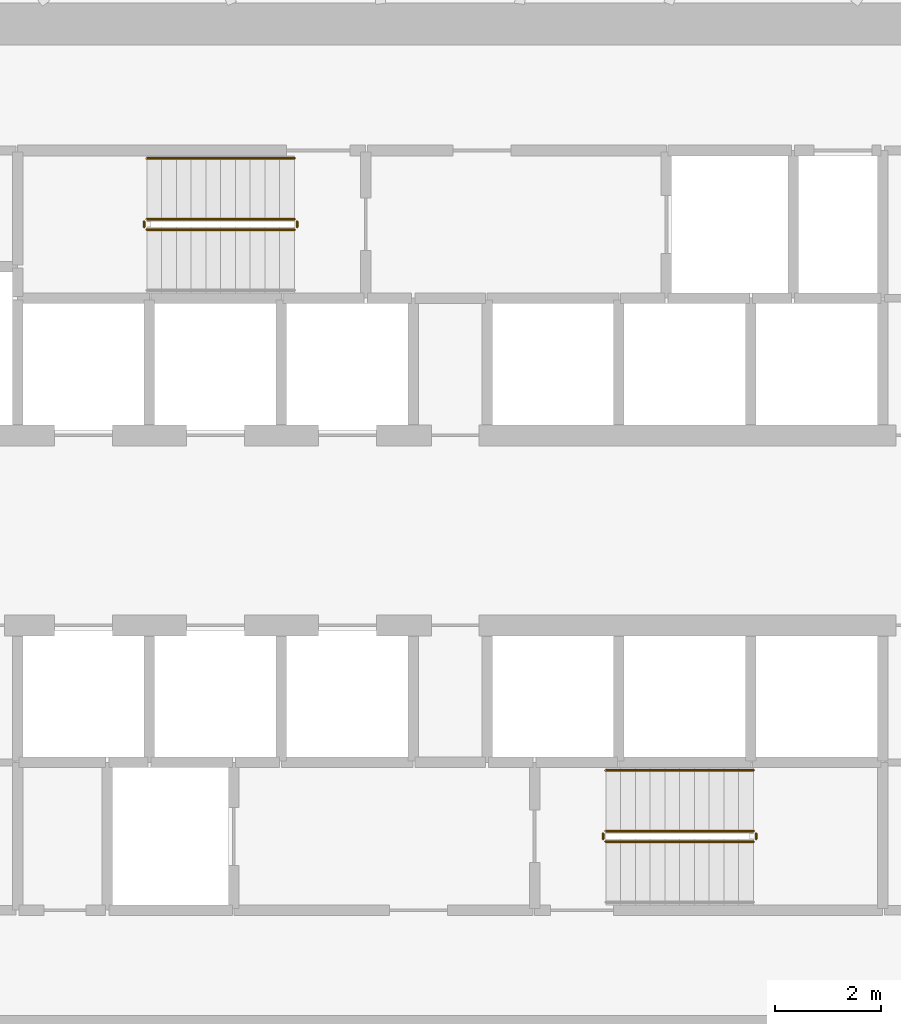
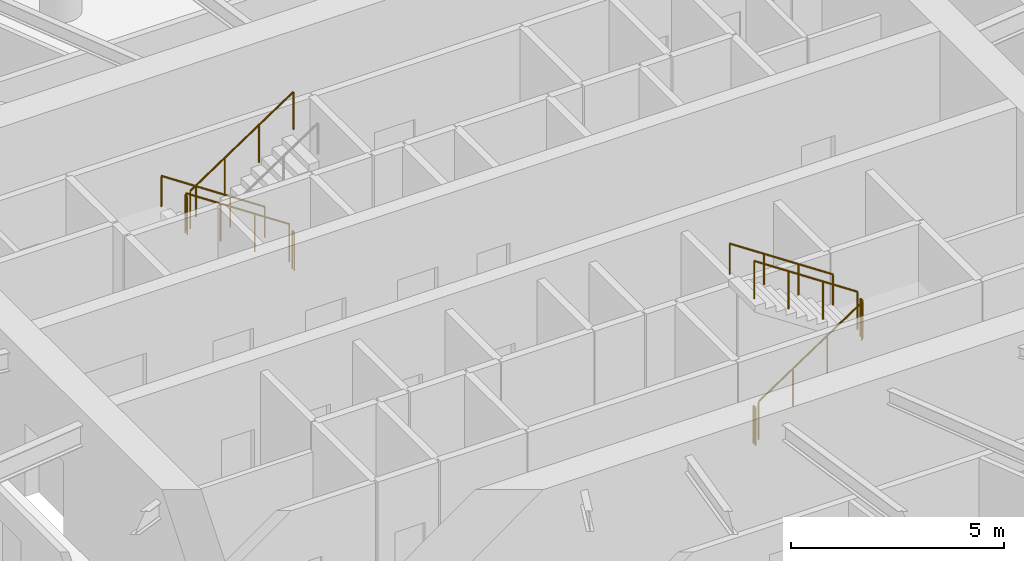
# One storey, part 16 of 17: 10 railings.
"""IFC4 building model written with IfcOpenShell, lengths in metres."""

import ifcopenshell
import ifcopenshell.guid

model = None  # the IFC model being written
_history = None  # IfcOwnerHistory: only IFC2X3 demands one
_inside = {}  # id of a spatial element -> (the spatial element, [elements in it])
_under = {}  # id of a project, library or spatial element -> (it, [spatial elements below it])
_declared = {}  # id of a project -> (the project, [libraries it declares])
_typed = {}  # id of a type object -> (the type object, [elements of that type])
_made_of = {}  # id of a material, layer set ... -> (it, [elements and type objects made of it])


def new_model(schema):
    """Start an empty IFC model of exactly this schema.

    Asked for "IFC4X3", IfcOpenShell would pick the latest addendum, in which some entities
    have other attributes; the version numbers below select the first issue.
    IFC2X3 requires an IfcOwnerHistory on every rooted entity: one is made here for all.
    """
    global model, _history
    if schema == "IFC4X3":
        model = ifcopenshell.file(schema_version=(4, 3, 0, 0))
    else:
        model = ifcopenshell.file(schema=schema)
    _inside.clear()
    _under.clear()
    _declared.clear()
    _typed.clear()
    _made_of.clear()
    _history = None
    if model.schema == "IFC2X3":
        org = make("IfcOrganization", Name="unknown")
        user = make(
            "IfcPersonAndOrganization",
            ThePerson=make("IfcPerson", FamilyName="unknown"),
            TheOrganization=org,
        )
        app = make(
            "IfcApplication",
            ApplicationDeveloper=org,
            Version="unknown",
            ApplicationFullName="unknown",
            ApplicationIdentifier="unknown",
        )
        _history = make(
            "IfcOwnerHistory",
            OwningUser=user,
            OwningApplication=app,
            ChangeAction="ADDED",
            CreationDate=0,
        )
    return model


def make(cls, **values):
    """One entity of the class cls with the attributes given. An attribute that is None is left unset."""
    return model.create_entity(
        cls, **{name: value for name, value in values.items() if value is not None}
    )


def rooted(cls, **values):
    """An entity with a GlobalId (a new one), such as an element, a storey or a relation."""
    return make(cls, GlobalId=ifcopenshell.guid.new(), OwnerHistory=_history, **values)


def si_unit(unit_type, name, prefix=None):
    """IfcSIUnit, for example si_unit("LENGTHUNIT", "METRE", prefix="MILLI")."""
    return make("IfcSIUnit", UnitType=unit_type, Prefix=prefix, Name=name)


def assignment(units):
    """IfcUnitAssignment: the units of a project."""
    return None if units is None else make("IfcUnitAssignment", Units=units)


def point(xyz):
    """IfcCartesianPoint."""
    return None if xyz is None else make("IfcCartesianPoint", Coordinates=xyz)


def direction(xyz):
    """IfcDirection."""
    return None if xyz is None else make("IfcDirection", DirectionRatios=xyz)


def frame(location, z_axis=None, x_axis=None):
    """IfcAxis2Placement3D, a coordinate frame: its origin and axes. An axis left out is left unset."""
    return make(
        "IfcAxis2Placement3D",
        Location=point(location),
        Axis=direction(z_axis),
        RefDirection=direction(x_axis),
    )


def frame_2d(location, x_axis=None):
    """IfcAxis2Placement2D, a coordinate frame in the plane: its origin and x axis."""
    return make(
        "IfcAxis2Placement2D", Location=point(location), RefDirection=direction(x_axis)
    )


def origin():
    """The frame at (0, 0, 0) with its axes left unset."""
    return frame((0.0, 0.0, 0.0))


def origin_2d():
    """The frame at (0, 0) in the plane with its x axis left unset."""
    return frame_2d((0.0, 0.0))


def place(relative_to, where):
    """IfcLocalPlacement: puts the frame where relative to a parent placement (None: the world)."""
    return make(
        "IfcLocalPlacement", PlacementRelTo=relative_to, RelativePlacement=where
    )


def context(
    kind, dimensions, precision=None, world=None, true_north=None, identifier=None
):
    """IfcGeometricRepresentationContext, for example the 3D "Model" context."""
    return make(
        "IfcGeometricRepresentationContext",
        ContextIdentifier=identifier,
        ContextType=kind,
        CoordinateSpaceDimension=dimensions,
        Precision=precision,
        WorldCoordinateSystem=world,
        TrueNorth=true_north,
    )


def subcontext(parent, identifier, kind, view, scale=None):
    """IfcGeometricRepresentationSubContext, for example "Body" below "Model"."""
    return make(
        "IfcGeometricRepresentationSubContext",
        ContextIdentifier=identifier,
        ContextType=kind,
        ParentContext=parent,
        TargetScale=scale,
        TargetView=view,
    )


def project(units=None, contexts=None):
    """IfcProject with its units and contexts."""
    return rooted(
        "IfcProject",
        Name="project",
        RepresentationContexts=contexts,
        UnitsInContext=assignment(units),
    )


def spatial(cls, under=None, at=None, **own):
    """A site, building, storey or space (cls), placed at a placement, below another one or the project."""
    s = rooted(cls, ObjectPlacement=at, **own)
    if under is not None:
        _under.setdefault(under.id(), (under, []))[1].append(s)
    return s


def profile(cls, at=None, kind="AREA", **sizes):
    """A parametric profile (cls). Its sizes go by their IFC names, for example OverallWidth=200.0."""
    return make(cls, ProfileType=kind, Position=at, **sizes)


def circle(**sizes):
    """IfcCircleProfileDef."""
    return profile("IfcCircleProfileDef", **sizes)


def extrude(swept, where, along, depth):
    """IfcExtrudedAreaSolid: the profile swept, set in the frame where, extruded along a direction by depth."""
    return make(
        "IfcExtrudedAreaSolid",
        SweptArea=swept,
        Position=where,
        ExtrudedDirection=direction(along),
        Depth=depth,
    )


def shape(context_of_items, identifier, shape_type, items):
    """IfcShapeRepresentation: the items that make up one representation, for example the "Body"."""
    return make(
        "IfcShapeRepresentation",
        ContextOfItems=context_of_items,
        RepresentationIdentifier=identifier,
        RepresentationType=shape_type,
        Items=items,
    )


def material(Name=None, Category=None):
    """IfcMaterial."""
    return make("IfcMaterial", Name=Name, Category=Category)


def made_of(thing, what):
    """Note that an element or type object is made of a material, layer set ...; save() writes the relation."""
    if what is not None:
        _made_of.setdefault(what.id(), (what, []))[1].append(thing)
    return thing


def type_object(cls, material=None, **own):
    """A type object (cls), such as IfcWallType, which elements share."""
    return made_of(rooted(cls, **own), material)


def element(
    cls,
    number,
    at=None,
    inside=None,
    cuts=None,
    type_object=None,
    material=None,
    context=None,
    identifier="Body",
    shape_type=None,
    held_by="IfcProductDefinitionShape",
    body=None,
    shapes=None,
    **own,
):
    """One element of the class cls, such as IfcWall. Its Tag is "e" and its number.

    at: its placement. inside: the storey or other place that contains it. cuts: it is an
    opening in that element (IfcRelVoidsElement). A single representation is given by context,
    identifier, shape_type and body (its items); several are given by shapes. held_by: the class
    of the entity that holds the representations. save() writes the other relations.
    """
    e = rooted(cls, Tag="e%d" % number, ObjectPlacement=at, **own)
    if body is not None:
        shapes = [shape(context, identifier, shape_type, body)]
    if shapes is not None:
        e.Representation = make(held_by, Representations=shapes)
    if inside is not None:
        _inside.setdefault(inside.id(), (inside, []))[1].append(e)
    if cuts is not None:
        rooted(
            "IfcRelVoidsElement", RelatingBuildingElement=cuts, RelatedOpeningElement=e
        )
    if type_object is not None:
        _typed.setdefault(type_object.id(), (type_object, []))[1].append(e)
    return made_of(e, material)


def aggregate(whole, parts):
    """IfcRelAggregates: a whole, such as a stair, and the parts it consists of."""
    return rooted("IfcRelAggregates", RelatingObject=whole, RelatedObjects=parts)


def save(model, path):
    """Write the relations noted so far, then the file.

    IfcRelAggregates (storeys below a building ...), IfcRelContainedInSpatialStructure (elements
    in a storey), IfcRelDefinesByType, IfcRelAssociatesMaterial and IfcRelDeclares: one each for
    every whole, place, type object, material and project.
    """
    for whole, parts in _under.values():
        aggregate(whole, parts)
    for where, things in _inside.values():
        rooted(
            "IfcRelContainedInSpatialStructure",
            RelatedElements=things,
            RelatingStructure=where,
        )
    for kind, things in _typed.values():
        rooted("IfcRelDefinesByType", RelatedObjects=things, RelatingType=kind)
    for what, things in _made_of.values():
        rooted("IfcRelAssociatesMaterial", RelatedObjects=things, RelatingMaterial=what)
    for by, libraries in _declared.values():
        rooted("IfcRelDeclares", RelatingContext=by, RelatedDefinitions=libraries)
    model.write(path)


model = new_model("IFC4")

# Units and contexts
model_context = context("Model", 3, precision=1e-05, world=origin(), true_north=direction((0.0, 1.0)))
body_context = subcontext(model_context, "Body", "Model", "MODEL_VIEW")
ifc_project = project(units=[si_unit("LENGTHUNIT", "METRE"), si_unit("AREAUNIT", "SQUARE_METRE"), si_unit("VOLUMEUNIT", "CUBIC_METRE"), si_unit("PLANEANGLEUNIT", "RADIAN"), si_unit("MASSUNIT", "GRAM", prefix="KILO")], contexts=[model_context])

# Site, building, storey
site_placement = place(None, origin())
site = spatial("IfcSite", under=ifc_project, at=site_placement, CompositionType="ELEMENT")
building_placement = place(site_placement, origin())
building = spatial("IfcBuilding", under=site, at=building_placement, Name="Spindrift Exchange Tower", CompositionType="ELEMENT")
storey_placement = place(building_placement, frame((0.0, 0.0, 104.39990234375)))
storey = spatial("IfcBuildingStorey", under=building, at=storey_placement, Name="L24", CompositionType="ELEMENT", Elevation=104.39990234375)

# Railings
ifc_material_1 = material(Name="Steel balustrade", Category="steel")
railing_type_1 = type_object("IfcRailingType", Name="RL-STAIR-GUARD", PredefinedType="GUARDRAIL", material=ifc_material_1)
railing_1_placement = place(storey_placement, frame((49.050048828125, 53.89990234375, 0.1865234375)))
element("IfcRailing", 1, at=railing_1_placement, inside=storey, type_object=railing_type_1, Name="L24 ST1 stair guard 1", PredefinedType="GUARDRAIL", context=body_context, shape_type="SweptSolid", body=[
    extrude(circle(Radius=0.02392578125, at=origin_2d()), frame((0.0, 0.0, 1.076171875), z_axis=(-0.832485552168, 0.0, 0.554046753832), x_axis=(0.0, -1.0, 0.0)), (0.0, 0.0, 1.0), 3.363525390625),
    extrude(circle(Radius=0.02099609375, at=origin_2d()), origin(), (0.0, 0.0, 1.0), 1.052001953125),
    extrude(circle(Radius=0.02099609375, at=origin_2d()), frame((-0.933349609375, 0.0, 0.62109375)), (0.0, 0.0, 1.0), 1.052001953125),
    extrude(circle(Radius=0.02099609375, at=origin_2d()), frame((-1.86669921875, 0.0, 1.242431640625)), (0.0, 0.0, 1.0), 1.052001953125),
    extrude(circle(Radius=0.02099609375, at=origin_2d()), frame((-2.800048828125, 0.0, 1.863525390625)), (0.0, 0.0, 1.0), 1.052001953125),
])
railing_2_placement = place(storey_placement, frame((46.199951171875, 53.85009765625, 2.050048828125)))
element("IfcRailing", 2, at=railing_2_placement, inside=storey, type_object=railing_type_1, Name="L24 ST1 stair guard 2", PredefinedType="GUARDRAIL", context=body_context, shape_type="SweptSolid", body=[
    extrude(circle(Radius=0.02392578125, at=origin_2d()), frame((0.0, 0.0, 1.076171875), z_axis=(0.0, -1.0, 0.0), x_axis=(1.0, 0.0, 0.0)), (0.0, 0.0, 1.0), 0.10009765625),
    extrude(circle(Radius=0.02099609375, at=origin_2d()), origin(), (0.0, 0.0, 1.0), 1.052001953125),
    extrude(circle(Radius=0.02099609375, at=origin_2d()), frame((0.0, -0.10009765625, 0.0)), (0.0, 0.0, 1.0), 1.052001953125),
])
railing_3_placement = place(storey_placement, frame((46.25, 53.699951171875, 2.236572265625)))
element("IfcRailing", 3, at=railing_3_placement, inside=storey, type_object=railing_type_1, Name="L24 ST1 stair guard 3", PredefinedType="GUARDRAIL", context=body_context, shape_type="SweptSolid", body=[
    extrude(circle(Radius=0.02392578125, at=origin_2d()), frame((0.0, 0.0, 1.076171875), z_axis=(0.832485552168, 0.0, 0.554046753832), x_axis=(0.0, 1.0, 0.0)), (0.0, 0.0, 1.0), 3.363525390625),
    extrude(circle(Radius=0.02099609375, at=origin_2d()), origin(), (0.0, 0.0, 1.0), 1.052001953125),
    extrude(circle(Radius=0.02099609375, at=origin_2d()), frame((0.933349609375, 0.0, 0.62109375)), (0.0, 0.0, 1.0), 1.052001953125),
    extrude(circle(Radius=0.02099609375, at=origin_2d()), frame((1.86669921875, 0.0, 1.242431640625)), (0.0, 0.0, 1.0), 1.052001953125),
    extrude(circle(Radius=0.02099609375, at=origin_2d()), frame((2.800048828125, 0.0, 1.863525390625)), (0.0, 0.0, 1.0), 1.052001953125),
])
railing_4_placement = place(storey_placement, frame((49.10009765625, 53.85009765625, 0.0)))
element("IfcRailing", 4, at=railing_4_placement, inside=storey, type_object=railing_type_1, Name="L24 ST1 stair guard 4", PredefinedType="GUARDRAIL", context=body_context, shape_type="SweptSolid", body=[
    extrude(circle(Radius=0.02392578125, at=origin_2d()), frame((0.0, 0.0, 1.076171875), z_axis=(0.0, -1.0, 0.0), x_axis=(1.0, 0.0, 0.0)), (0.0, 0.0, 1.0), 0.10009765625),
    extrude(circle(Radius=0.02099609375, at=origin_2d()), origin(), (0.0, 0.0, 1.0), 1.052001953125),
    extrude(circle(Radius=0.02099609375, at=origin_2d()), frame((0.0, -0.10009765625, 0.0)), (0.0, 0.0, 1.0), 1.052001953125),
])
railing_5_placement = place(storey_placement, frame((54.949951171875, 42.10009765625, 0.1865234375)))
element("IfcRailing", 5, at=railing_5_placement, inside=storey, type_object=railing_type_1, Name="L24 ST2 stair guard 1", PredefinedType="GUARDRAIL", context=body_context, shape_type="SweptSolid", body=[
    extrude(circle(Radius=0.02392578125, at=origin_2d()), frame((0.0, 0.0, 1.076171875), z_axis=(0.832485552168, 0.0, 0.554046753832), x_axis=(0.0, 1.0, 0.0)), (0.0, 0.0, 1.0), 3.363525390625),
    extrude(circle(Radius=0.02099609375, at=origin_2d()), origin(), (0.0, 0.0, 1.0), 1.052001953125),
    extrude(circle(Radius=0.02099609375, at=origin_2d()), frame((0.933349609375, 0.0, 0.62109375)), (0.0, 0.0, 1.0), 1.052001953125),
    extrude(circle(Radius=0.02099609375, at=origin_2d()), frame((1.86669921875, 0.0, 1.242431640625)), (0.0, 0.0, 1.0), 1.052001953125),
    extrude(circle(Radius=0.02099609375, at=origin_2d()), frame((2.800048828125, 0.0, 1.863525390625)), (0.0, 0.0, 1.0), 1.052001953125),
])
railing_6_placement = place(storey_placement, frame((57.800048828125, 42.14990234375, 2.050048828125)))
element("IfcRailing", 6, at=railing_6_placement, inside=storey, type_object=railing_type_1, Name="L24 ST2 stair guard 2", PredefinedType="GUARDRAIL", context=body_context, shape_type="SweptSolid", body=[
    extrude(circle(Radius=0.02392578125, at=origin_2d()), frame((0.0, 0.0, 1.076171875), z_axis=(0.0, 1.0, 0.0), x_axis=(-1.0, 0.0, 0.0)), (0.0, 0.0, 1.0), 0.10009765625),
    extrude(circle(Radius=0.02099609375, at=origin_2d()), origin(), (0.0, 0.0, 1.0), 1.052001953125),
    extrude(circle(Radius=0.02099609375, at=origin_2d()), frame((0.0, 0.10009765625, 0.0)), (0.0, 0.0, 1.0), 1.052001953125),
])
railing_7_placement = place(storey_placement, frame((57.75, 42.300048828125, 2.236572265625)))
element("IfcRailing", 7, at=railing_7_placement, inside=storey, type_object=railing_type_1, Name="L24 ST2 stair guard 3", PredefinedType="GUARDRAIL", context=body_context, shape_type="SweptSolid", body=[
    extrude(circle(Radius=0.02392578125, at=origin_2d()), frame((0.0, 0.0, 1.076171875), z_axis=(-0.832485552168, 0.0, 0.554046753832), x_axis=(0.0, -1.0, 0.0)), (0.0, 0.0, 1.0), 3.363525390625),
    extrude(circle(Radius=0.02099609375, at=origin_2d()), origin(), (0.0, 0.0, 1.0), 1.052001953125),
    extrude(circle(Radius=0.02099609375, at=origin_2d()), frame((-0.933349609375, 0.0, 0.62109375)), (0.0, 0.0, 1.0), 1.052001953125),
    extrude(circle(Radius=0.02099609375, at=origin_2d()), frame((-1.86669921875, 0.0, 1.242431640625)), (0.0, 0.0, 1.0), 1.052001953125),
    extrude(circle(Radius=0.02099609375, at=origin_2d()), frame((-2.800048828125, 0.0, 1.863525390625)), (0.0, 0.0, 1.0), 1.052001953125),
])
railing_8_placement = place(storey_placement, frame((54.89990234375, 42.14990234375, 0.0)))
element("IfcRailing", 8, at=railing_8_placement, inside=storey, type_object=railing_type_1, Name="L24 ST2 stair guard 4", PredefinedType="GUARDRAIL", context=body_context, shape_type="SweptSolid", body=[
    extrude(circle(Radius=0.02392578125, at=origin_2d()), frame((0.0, 0.0, 1.076171875), z_axis=(0.0, 1.0, 0.0), x_axis=(-1.0, 0.0, 0.0)), (0.0, 0.0, 1.0), 0.10009765625),
    extrude(circle(Radius=0.02099609375, at=origin_2d()), origin(), (0.0, 0.0, 1.0), 1.052001953125),
    extrude(circle(Radius=0.02099609375, at=origin_2d()), frame((0.0, 0.10009765625, 0.0)), (0.0, 0.0, 1.0), 1.052001953125),
])
ifc_material_2 = material(Name="Steel tubular handrail", Category="steel")
railing_type_2 = type_object("IfcRailingType", Name="RL-STAIR-HAND", PredefinedType="HANDRAIL", material=ifc_material_2)
for number, where, name in (
    (9, (49.050048828125, 55.050048828125, 0.1865234375), "L24 ST1 stair handrail 1"),
    (10, (57.75, 43.449951171875, 2.236572265625), "L24 ST2 stair handrail 2"),
):
    element("IfcRailing", number, at=place(storey_placement, frame(where)), inside=storey, type_object=railing_type_2, Name=name, PredefinedType="HANDRAIL", context=body_context, shape_type="SweptSolid", body=[
        extrude(circle(Radius=0.02392578125, at=origin_2d()), frame((0.0, 0.0, 0.8759765625), z_axis=(-0.832485552168, 0.0, 0.554046753832), x_axis=(0.0, -1.0, 0.0)), (0.0, 0.0, 1.0), 3.363525390625),
        extrude(circle(Radius=0.02099609375, at=origin_2d()), origin(), (0.0, 0.0, 1.0), 0.851806640625),
        extrude(circle(Radius=0.02099609375, at=origin_2d()), frame((-0.933349609375, 0.0, 0.62109375)), (0.0, 0.0, 1.0), 0.851806640625),
        extrude(circle(Radius=0.02099609375, at=origin_2d()), frame((-1.86669921875, 0.0, 1.242431640625)), (0.0, 0.0, 1.0), 0.851806640625),
        extrude(circle(Radius=0.02099609375, at=origin_2d()), frame((-2.800048828125, 0.0, 1.863525390625)), (0.0, 0.0, 1.0), 0.851806640625),
    ])

save(model, "model.ifc")
